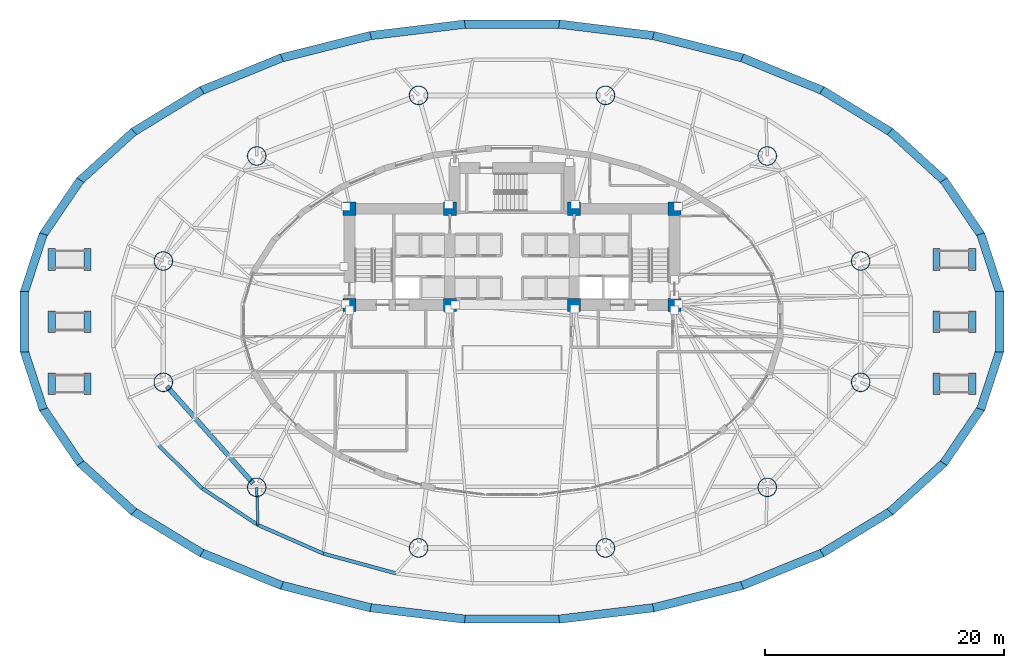
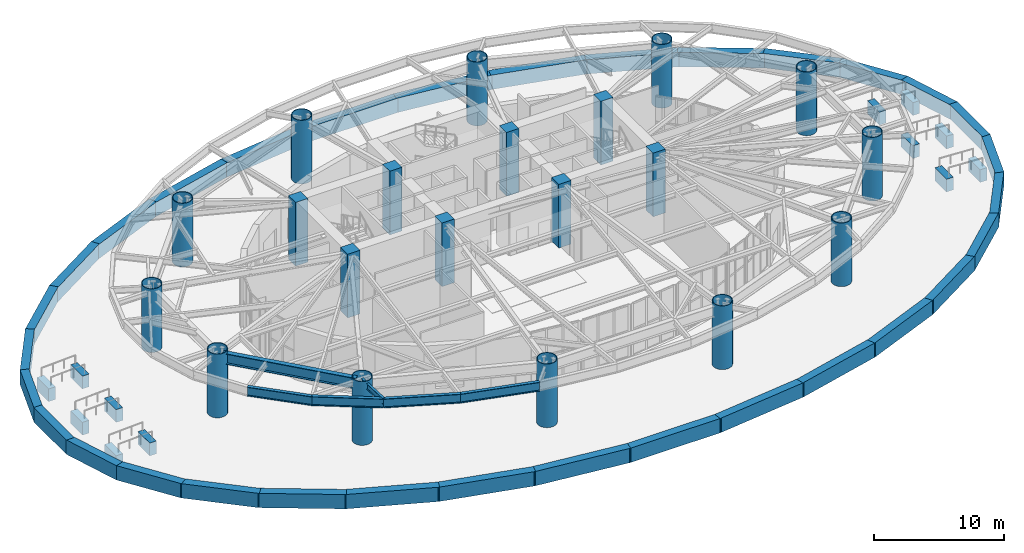
# One storey, part 1 of 21: 44 footings, 20 columns, 6 beams.
"""IFC4 building model written with IfcOpenShell, lengths in metres."""

from ifc_helpers import new_model, si_unit, direction, frame, origin, origin_2d, place, context, subcontext, project, spatial, polyline, rectangle, hollow_circle, i_section, outline, extrude, material, material_profile, profile_set, type_object, element, save


model = new_model("IFC4")

# Units and contexts
model_context = context("Model", 3, precision=1e-05, world=origin(), true_north=direction((0.0, 1.0)))
body_context = subcontext(model_context, "Body", "Model", "MODEL_VIEW")
ifc_project = project(units=[si_unit("LENGTHUNIT", "METRE"), si_unit("AREAUNIT", "SQUARE_METRE"), si_unit("VOLUMEUNIT", "CUBIC_METRE"), si_unit("PLANEANGLEUNIT", "RADIAN"), si_unit("MASSUNIT", "GRAM", prefix="KILO")], contexts=[model_context])

# Site, building, storey
site_placement = place(None, origin())
site = spatial("IfcSite", under=ifc_project, at=site_placement, CompositionType="ELEMENT")
building_placement = place(site_placement, origin())
building = spatial("IfcBuilding", under=site, at=building_placement, Name="Keldmark Tower", CompositionType="ELEMENT")
storey_placement = place(building_placement, origin())
storey = spatial("IfcBuildingStorey", under=building, at=storey_placement, Name="L00", CompositionType="ELEMENT", Elevation=0.0)

# Footings
ifc_material_1 = material(Name="Concrete C50/60", Category="concrete")
footing_type_1 = type_object("IfcFootingType", Name="Frost Grade Beam 700x1350 mm", PredefinedType="FOOTING_BEAM", material=ifc_material_1)
footing_1_placement = place(storey_placement, frame((0.0, 0.0, -1.35009765625)))
element("IfcFooting", 1, at=footing_1_placement, inside=storey, type_object=footing_type_1, Name="Perimeter frost grade beam 01", PredefinedType="FOOTING_BEAM", context=body_context, shape_type="SweptSolid", body=[
    extrude(outline(polyline([(41.16015625, 2.48291015625), (39.54248046875, 7.441650390625), (38.876953125, 7.224609375), (40.49462890625, 2.265869140625), (41.16015625, 2.48291015625)])), origin(), (0.0, 0.0, 1.0), 1.35009765625),
])
footing_2_placement = place(storey_placement, frame((0.0, 0.0, -1.35009765625)))
element("IfcFooting", 2, at=footing_2_placement, inside=storey, type_object=footing_type_1, Name="Perimeter frost grade beam 02", PredefinedType="FOOTING_BEAM", context=body_context, shape_type="SweptSolid", body=[
    extrude(outline(polyline([(39.569091796875, 7.3876953125), (36.4033203125, 12.047607421875), (35.82421875, 11.654296875), (38.989990234375, 6.994384765625), (39.569091796875, 7.3876953125)])), origin(), (0.0, 0.0, 1.0), 1.35009765625),
])
footing_3_placement = place(storey_placement, frame((0.0, 0.0, -1.35009765625)))
element("IfcFooting", 3, at=footing_3_placement, inside=storey, type_object=footing_type_1, Name="Perimeter frost grade beam 03", PredefinedType="FOOTING_BEAM", context=body_context, shape_type="SweptSolid", body=[
    extrude(outline(polyline([(36.453857421875, 11.989501953125), (31.8701171875, 16.17236328125), (31.3984375, 15.6552734375), (35.98193359375, 11.472412109375), (36.453857421875, 11.989501953125)])), origin(), (0.0, 0.0, 1.0), 1.35009765625),
])
footing_4_placement = place(storey_placement, frame((0.0, 0.0, -1.35009765625)))
element("IfcFooting", 4, at=footing_4_placement, inside=storey, type_object=footing_type_1, Name="Perimeter frost grade beam 04", PredefinedType="FOOTING_BEAM", context=body_context, shape_type="SweptSolid", body=[
    extrude(outline(polyline([(31.94384765625, 16.116943359375), (26.1240234375, 19.665771484375), (25.759521484375, 19.068115234375), (31.57958984375, 15.519287109375), (31.94384765625, 16.116943359375)])), origin(), (0.0, 0.0, 1.0), 1.35009765625),
])
footing_5_placement = place(storey_placement, frame((0.0, 0.0, -1.35009765625)))
element("IfcFooting", 5, at=footing_5_placement, inside=storey, type_object=footing_type_1, Name="Perimeter frost grade beam 05", PredefinedType="FOOTING_BEAM", context=body_context, shape_type="SweptSolid", body=[
    extrude(outline(polyline([(26.21630859375, 19.619140625), (19.38525390625, 22.40234375), (19.12109375, 21.754150390625), (25.9521484375, 18.970947265625), (26.21630859375, 19.619140625)])), origin(), (0.0, 0.0, 1.0), 1.35009765625),
])
footing_6_placement = place(storey_placement, frame((0.0, 0.0, -1.35009765625)))
element("IfcFooting", 6, at=footing_6_placement, inside=storey, type_object=footing_type_1, Name="Perimeter frost grade beam 06", PredefinedType="FOOTING_BEAM", context=body_context, shape_type="SweptSolid", body=[
    extrude(outline(polyline([(19.490478515625, 22.367919921875), (11.909912109375, 24.282470703125), (11.73828125, 23.603759765625), (19.319091796875, 21.689208984375), (19.490478515625, 22.367919921875)])), origin(), (0.0, 0.0, 1.0), 1.35009765625),
])
footing_7_placement = place(storey_placement, frame((0.0, 0.0, -1.35009765625)))
element("IfcFooting", 7, at=footing_7_placement, inside=storey, type_object=footing_type_1, Name="Perimeter frost grade beam 07", PredefinedType="FOOTING_BEAM", context=body_context, shape_type="SweptSolid", body=[
    extrude(outline(polyline([(12.023193359375, 24.26123046875), (3.9814453125, 25.23681640625), (3.897216796875, 24.541748046875), (11.93896484375, 23.56640625), (12.023193359375, 24.26123046875)])), origin(), (0.0, 0.0, 1.0), 1.35009765625),
])
footing_8_placement = place(storey_placement, frame((0.0, 0.0, -1.35009765625)))
element("IfcFooting", 8, at=footing_8_placement, inside=storey, type_object=footing_type_1, Name="Perimeter frost grade beam 08", PredefinedType="FOOTING_BEAM", context=body_context, shape_type="SweptSolid", body=[
    extrude(outline(polyline([(4.0986328125, 25.2294921875), (-4.0986328125, 25.2294921875), (-4.0986328125, 24.529541015625), (4.0986328125, 24.529541015625), (4.0986328125, 25.2294921875)])), origin(), (0.0, 0.0, 1.0), 1.35009765625),
])
footing_9_placement = place(storey_placement, frame((0.0, 0.0, -1.35009765625)))
element("IfcFooting", 9, at=footing_9_placement, inside=storey, type_object=footing_type_1, Name="Perimeter frost grade beam 09", PredefinedType="FOOTING_BEAM", context=body_context, shape_type="SweptSolid", body=[
    extrude(outline(polyline([(-3.9814453125, 25.23681640625), (-12.023193359375, 24.26123046875), (-11.93896484375, 23.56640625), (-3.897216796875, 24.541748046875), (-3.9814453125, 25.23681640625)])), origin(), (0.0, 0.0, 1.0), 1.35009765625),
])
footing_10_placement = place(storey_placement, frame((0.0, 0.0, -1.35009765625)))
element("IfcFooting", 10, at=footing_10_placement, inside=storey, type_object=footing_type_1, Name="Perimeter frost grade beam 10", PredefinedType="FOOTING_BEAM", context=body_context, shape_type="SweptSolid", body=[
    extrude(outline(polyline([(-11.909912109375, 24.282470703125), (-19.490478515625, 22.367919921875), (-19.319091796875, 21.689208984375), (-11.73828125, 23.603759765625), (-11.909912109375, 24.282470703125)])), origin(), (0.0, 0.0, 1.0), 1.35009765625),
])
footing_11_placement = place(storey_placement, frame((0.0, 0.0, -1.35009765625)))
element("IfcFooting", 11, at=footing_11_placement, inside=storey, type_object=footing_type_1, Name="Perimeter frost grade beam 11", PredefinedType="FOOTING_BEAM", context=body_context, shape_type="SweptSolid", body=[
    extrude(outline(polyline([(-19.38525390625, 22.40234375), (-26.21630859375, 19.619140625), (-25.9521484375, 18.970947265625), (-19.12109375, 21.754150390625), (-19.38525390625, 22.40234375)])), origin(), (0.0, 0.0, 1.0), 1.35009765625),
])
footing_12_placement = place(storey_placement, frame((0.0, 0.0, -1.35009765625)))
element("IfcFooting", 12, at=footing_12_placement, inside=storey, type_object=footing_type_1, Name="Perimeter frost grade beam 12", PredefinedType="FOOTING_BEAM", context=body_context, shape_type="SweptSolid", body=[
    extrude(outline(polyline([(-26.1240234375, 19.665771484375), (-31.94384765625, 16.116943359375), (-31.57958984375, 15.519287109375), (-25.759521484375, 19.068115234375), (-26.1240234375, 19.665771484375)])), origin(), (0.0, 0.0, 1.0), 1.35009765625),
])
footing_13_placement = place(storey_placement, frame((0.0, 0.0, -1.35009765625)))
element("IfcFooting", 13, at=footing_13_placement, inside=storey, type_object=footing_type_1, Name="Perimeter frost grade beam 13", PredefinedType="FOOTING_BEAM", context=body_context, shape_type="SweptSolid", body=[
    extrude(outline(polyline([(-31.8701171875, 16.17236328125), (-36.453857421875, 11.989501953125), (-35.98193359375, 11.472412109375), (-31.3984375, 15.6552734375), (-31.8701171875, 16.17236328125)])), origin(), (0.0, 0.0, 1.0), 1.35009765625),
])
footing_14_placement = place(storey_placement, frame((0.0, 0.0, -1.35009765625)))
element("IfcFooting", 14, at=footing_14_placement, inside=storey, type_object=footing_type_1, Name="Perimeter frost grade beam 14", PredefinedType="FOOTING_BEAM", context=body_context, shape_type="SweptSolid", body=[
    extrude(outline(polyline([(-36.4033203125, 12.047607421875), (-39.569091796875, 7.3876953125), (-38.989990234375, 6.994384765625), (-35.82421875, 11.654296875), (-36.4033203125, 12.047607421875)])), origin(), (0.0, 0.0, 1.0), 1.35009765625),
])
footing_15_placement = place(storey_placement, frame((0.0, 0.0, -1.35009765625)))
element("IfcFooting", 15, at=footing_15_placement, inside=storey, type_object=footing_type_1, Name="Perimeter frost grade beam 15", PredefinedType="FOOTING_BEAM", context=body_context, shape_type="SweptSolid", body=[
    extrude(outline(polyline([(-39.54248046875, 7.441650390625), (-41.16015625, 2.48291015625), (-40.49462890625, 2.265869140625), (-38.876953125, 7.224609375), (-39.54248046875, 7.441650390625)])), origin(), (0.0, 0.0, 1.0), 1.35009765625),
])
footing_16_placement = place(storey_placement, frame((0.0, 0.0, -1.35009765625)))
element("IfcFooting", 16, at=footing_16_placement, inside=storey, type_object=footing_type_1, Name="Perimeter frost grade beam 16", PredefinedType="FOOTING_BEAM", context=body_context, shape_type="SweptSolid", body=[
    extrude(outline(polyline([(-41.152587890625, 2.530517578125), (-41.152587890625, -2.530517578125), (-40.45263671875, -2.530517578125), (-40.45263671875, 2.530517578125), (-41.152587890625, 2.530517578125)])), origin(), (0.0, 0.0, 1.0), 1.35009765625),
])
footing_17_placement = place(storey_placement, frame((0.0, 0.0, -1.35009765625)))
element("IfcFooting", 17, at=footing_17_placement, inside=storey, type_object=footing_type_1, Name="Perimeter frost grade beam 17", PredefinedType="FOOTING_BEAM", context=body_context, shape_type="SweptSolid", body=[
    extrude(outline(polyline([(-41.16015625, -2.48291015625), (-39.54248046875, -7.441650390625), (-38.876953125, -7.224609375), (-40.49462890625, -2.265869140625), (-41.16015625, -2.48291015625)])), origin(), (0.0, 0.0, 1.0), 1.35009765625),
])
footing_18_placement = place(storey_placement, frame((0.0, 0.0, -1.35009765625)))
element("IfcFooting", 18, at=footing_18_placement, inside=storey, type_object=footing_type_1, Name="Perimeter frost grade beam 18", PredefinedType="FOOTING_BEAM", context=body_context, shape_type="SweptSolid", body=[
    extrude(outline(polyline([(-39.569091796875, -7.3876953125), (-36.4033203125, -12.047607421875), (-35.82421875, -11.654296875), (-38.989990234375, -6.994384765625), (-39.569091796875, -7.3876953125)])), origin(), (0.0, 0.0, 1.0), 1.35009765625),
])
footing_19_placement = place(storey_placement, frame((0.0, 0.0, -1.35009765625)))
element("IfcFooting", 19, at=footing_19_placement, inside=storey, type_object=footing_type_1, Name="Perimeter frost grade beam 19", PredefinedType="FOOTING_BEAM", context=body_context, shape_type="SweptSolid", body=[
    extrude(outline(polyline([(-36.453857421875, -11.989501953125), (-31.8701171875, -16.17236328125), (-31.3984375, -15.6552734375), (-35.98193359375, -11.472412109375), (-36.453857421875, -11.989501953125)])), origin(), (0.0, 0.0, 1.0), 1.35009765625),
])
footing_20_placement = place(storey_placement, frame((0.0, 0.0, -1.35009765625)))
element("IfcFooting", 20, at=footing_20_placement, inside=storey, type_object=footing_type_1, Name="Perimeter frost grade beam 20", PredefinedType="FOOTING_BEAM", context=body_context, shape_type="SweptSolid", body=[
    extrude(outline(polyline([(-31.94384765625, -16.116943359375), (-26.1240234375, -19.665771484375), (-25.759521484375, -19.068115234375), (-31.57958984375, -15.519287109375), (-31.94384765625, -16.116943359375)])), origin(), (0.0, 0.0, 1.0), 1.35009765625),
])
footing_21_placement = place(storey_placement, frame((0.0, 0.0, -1.35009765625)))
element("IfcFooting", 21, at=footing_21_placement, inside=storey, type_object=footing_type_1, Name="Perimeter frost grade beam 21", PredefinedType="FOOTING_BEAM", context=body_context, shape_type="SweptSolid", body=[
    extrude(outline(polyline([(-26.21630859375, -19.619140625), (-19.38525390625, -22.40234375), (-19.12109375, -21.754150390625), (-25.9521484375, -18.970947265625), (-26.21630859375, -19.619140625)])), origin(), (0.0, 0.0, 1.0), 1.35009765625),
])
footing_22_placement = place(storey_placement, frame((0.0, 0.0, -1.35009765625)))
element("IfcFooting", 22, at=footing_22_placement, inside=storey, type_object=footing_type_1, Name="Perimeter frost grade beam 22", PredefinedType="FOOTING_BEAM", context=body_context, shape_type="SweptSolid", body=[
    extrude(outline(polyline([(-19.490478515625, -22.367919921875), (-11.909912109375, -24.282470703125), (-11.73828125, -23.603759765625), (-19.319091796875, -21.689208984375), (-19.490478515625, -22.367919921875)])), origin(), (0.0, 0.0, 1.0), 1.35009765625),
])
footing_23_placement = place(storey_placement, frame((0.0, 0.0, -1.35009765625)))
element("IfcFooting", 23, at=footing_23_placement, inside=storey, type_object=footing_type_1, Name="Perimeter frost grade beam 23", PredefinedType="FOOTING_BEAM", context=body_context, shape_type="SweptSolid", body=[
    extrude(outline(polyline([(-12.023193359375, -24.26123046875), (-3.9814453125, -25.23681640625), (-3.897216796875, -24.541748046875), (-11.93896484375, -23.56640625), (-12.023193359375, -24.26123046875)])), origin(), (0.0, 0.0, 1.0), 1.35009765625),
])
footing_24_placement = place(storey_placement, frame((0.0, 0.0, -1.35009765625)))
element("IfcFooting", 24, at=footing_24_placement, inside=storey, type_object=footing_type_1, Name="Perimeter frost grade beam 24", PredefinedType="FOOTING_BEAM", context=body_context, shape_type="SweptSolid", body=[
    extrude(outline(polyline([(-4.0986328125, -25.2294921875), (4.0986328125, -25.2294921875), (4.0986328125, -24.529541015625), (-4.0986328125, -24.529541015625), (-4.0986328125, -25.2294921875)])), origin(), (0.0, 0.0, 1.0), 1.35009765625),
])
footing_25_placement = place(storey_placement, frame((0.0, 0.0, -1.35009765625)))
element("IfcFooting", 25, at=footing_25_placement, inside=storey, type_object=footing_type_1, Name="Perimeter frost grade beam 25", PredefinedType="FOOTING_BEAM", context=body_context, shape_type="SweptSolid", body=[
    extrude(outline(polyline([(3.9814453125, -25.23681640625), (12.023193359375, -24.26123046875), (11.93896484375, -23.56640625), (3.897216796875, -24.541748046875), (3.9814453125, -25.23681640625)])), origin(), (0.0, 0.0, 1.0), 1.35009765625),
])
footing_26_placement = place(storey_placement, frame((0.0, 0.0, -1.35009765625)))
element("IfcFooting", 26, at=footing_26_placement, inside=storey, type_object=footing_type_1, Name="Perimeter frost grade beam 26", PredefinedType="FOOTING_BEAM", context=body_context, shape_type="SweptSolid", body=[
    extrude(outline(polyline([(11.909912109375, -24.282470703125), (19.490478515625, -22.367919921875), (19.319091796875, -21.689208984375), (11.73828125, -23.603759765625), (11.909912109375, -24.282470703125)])), origin(), (0.0, 0.0, 1.0), 1.35009765625),
])
footing_27_placement = place(storey_placement, frame((0.0, 0.0, -1.35009765625)))
element("IfcFooting", 27, at=footing_27_placement, inside=storey, type_object=footing_type_1, Name="Perimeter frost grade beam 27", PredefinedType="FOOTING_BEAM", context=body_context, shape_type="SweptSolid", body=[
    extrude(outline(polyline([(19.38525390625, -22.40234375), (26.21630859375, -19.619140625), (25.9521484375, -18.970947265625), (19.12109375, -21.754150390625), (19.38525390625, -22.40234375)])), origin(), (0.0, 0.0, 1.0), 1.35009765625),
])
footing_28_placement = place(storey_placement, frame((0.0, 0.0, -1.35009765625)))
element("IfcFooting", 28, at=footing_28_placement, inside=storey, type_object=footing_type_1, Name="Perimeter frost grade beam 28", PredefinedType="FOOTING_BEAM", context=body_context, shape_type="SweptSolid", body=[
    extrude(outline(polyline([(26.1240234375, -19.665771484375), (31.94384765625, -16.116943359375), (31.57958984375, -15.519287109375), (25.759521484375, -19.068115234375), (26.1240234375, -19.665771484375)])), origin(), (0.0, 0.0, 1.0), 1.35009765625),
])
footing_29_placement = place(storey_placement, frame((0.0, 0.0, -1.35009765625)))
element("IfcFooting", 29, at=footing_29_placement, inside=storey, type_object=footing_type_1, Name="Perimeter frost grade beam 29", PredefinedType="FOOTING_BEAM", context=body_context, shape_type="SweptSolid", body=[
    extrude(outline(polyline([(31.8701171875, -16.17236328125), (36.453857421875, -11.989501953125), (35.98193359375, -11.472412109375), (31.3984375, -15.6552734375), (31.8701171875, -16.17236328125)])), origin(), (0.0, 0.0, 1.0), 1.35009765625),
])
footing_30_placement = place(storey_placement, frame((0.0, 0.0, -1.35009765625)))
element("IfcFooting", 30, at=footing_30_placement, inside=storey, type_object=footing_type_1, Name="Perimeter frost grade beam 30", PredefinedType="FOOTING_BEAM", context=body_context, shape_type="SweptSolid", body=[
    extrude(outline(polyline([(36.4033203125, -12.047607421875), (39.569091796875, -7.3876953125), (38.989990234375, -6.994384765625), (35.82421875, -11.654296875), (36.4033203125, -12.047607421875)])), origin(), (0.0, 0.0, 1.0), 1.35009765625),
])
footing_31_placement = place(storey_placement, frame((0.0, 0.0, -1.35009765625)))
element("IfcFooting", 31, at=footing_31_placement, inside=storey, type_object=footing_type_1, Name="Perimeter frost grade beam 31", PredefinedType="FOOTING_BEAM", context=body_context, shape_type="SweptSolid", body=[
    extrude(outline(polyline([(39.54248046875, -7.441650390625), (41.16015625, -2.48291015625), (40.49462890625, -2.265869140625), (38.876953125, -7.224609375), (39.54248046875, -7.441650390625)])), origin(), (0.0, 0.0, 1.0), 1.35009765625),
])
footing_32_placement = place(storey_placement, frame((0.0, 0.0, -1.35009765625)))
element("IfcFooting", 32, at=footing_32_placement, inside=storey, type_object=footing_type_1, Name="Perimeter frost grade beam 32", PredefinedType="FOOTING_BEAM", context=body_context, shape_type="SweptSolid", body=[
    extrude(outline(polyline([(41.152587890625, -2.530517578125), (41.152587890625, 2.530517578125), (40.45263671875, 2.530517578125), (40.45263671875, -2.530517578125), (41.152587890625, -2.530517578125)])), origin(), (0.0, 0.0, 1.0), 1.35009765625),
])
ifc_material_2 = material(Name="Concrete C50/60", Category="concrete")
footing_type_2 = type_object("IfcFootingType", Name="Perimeter Tie Beam 600x1200 mm", PredefinedType="STRIP_FOOTING", material=ifc_material_2)
footing_33_placement = place(storey_placement, frame((0.0, 0.0, -1.35009765625)))
element("IfcFooting", 33, at=footing_33_placement, inside=storey, type_object=footing_type_2, Name="Plaza ramp bearing footing beam 01", PredefinedType="STRIP_FOOTING", context=body_context, shape_type="SweptSolid", body=[
    extrude(outline(polyline([(-38.800048828125, -6.10009765625), (-38.199951171875, -6.10009765625), (-38.199951171875, -4.300048828125), (-38.800048828125, -4.300048828125), (-38.800048828125, -6.10009765625)])), origin(), (0.0, 0.0, 1.0), 1.2001953125),
])
footing_34_placement = place(storey_placement, frame((0.0, 0.0, -1.199951171875)))
element("IfcFooting", 34, at=footing_34_placement, inside=storey, type_object=footing_type_2, Name="Plaza ramp bearing footing beam 02", PredefinedType="STRIP_FOOTING", context=body_context, shape_type="SweptSolid", body=[
    extrude(outline(polyline([(-35.800048828125, -6.10009765625), (-35.199951171875, -6.10009765625), (-35.199951171875, -4.300048828125), (-35.800048828125, -4.300048828125), (-35.800048828125, -6.10009765625)])), origin(), (0.0, 0.0, 1.0), 1.199951171875),
])
footing_35_placement = place(storey_placement, frame((0.0, 0.0, -1.35009765625)))
element("IfcFooting", 35, at=footing_35_placement, inside=storey, type_object=footing_type_2, Name="Plaza ramp bearing footing beam 03", PredefinedType="STRIP_FOOTING", context=body_context, shape_type="SweptSolid", body=[
    extrude(outline(polyline([(-38.800048828125, -0.89990234375), (-38.199951171875, -0.89990234375), (-38.199951171875, 0.89990234375), (-38.800048828125, 0.89990234375), (-38.800048828125, -0.89990234375)])), origin(), (0.0, 0.0, 1.0), 1.2001953125),
])
footing_36_placement = place(storey_placement, frame((0.0, 0.0, -1.199951171875)))
element("IfcFooting", 36, at=footing_36_placement, inside=storey, type_object=footing_type_2, Name="Plaza ramp bearing footing beam 04", PredefinedType="STRIP_FOOTING", context=body_context, shape_type="SweptSolid", body=[
    extrude(outline(polyline([(-35.800048828125, -0.89990234375), (-35.199951171875, -0.89990234375), (-35.199951171875, 0.89990234375), (-35.800048828125, 0.89990234375), (-35.800048828125, -0.89990234375)])), origin(), (0.0, 0.0, 1.0), 1.199951171875),
])
footing_37_placement = place(storey_placement, frame((0.0, 0.0, -1.35009765625)))
element("IfcFooting", 37, at=footing_37_placement, inside=storey, type_object=footing_type_2, Name="Plaza ramp bearing footing beam 05", PredefinedType="STRIP_FOOTING", context=body_context, shape_type="SweptSolid", body=[
    extrude(outline(polyline([(-38.800048828125, 4.300048828125), (-38.199951171875, 4.300048828125), (-38.199951171875, 6.10009765625), (-38.800048828125, 6.10009765625), (-38.800048828125, 4.300048828125)])), origin(), (0.0, 0.0, 1.0), 1.2001953125),
])
footing_38_placement = place(storey_placement, frame((0.0, 0.0, -1.199951171875)))
element("IfcFooting", 38, at=footing_38_placement, inside=storey, type_object=footing_type_2, Name="Plaza ramp bearing footing beam 06", PredefinedType="STRIP_FOOTING", context=body_context, shape_type="SweptSolid", body=[
    extrude(outline(polyline([(-35.800048828125, 4.300048828125), (-35.199951171875, 4.300048828125), (-35.199951171875, 6.10009765625), (-35.800048828125, 6.10009765625), (-35.800048828125, 4.300048828125)])), origin(), (0.0, 0.0, 1.0), 1.199951171875),
])
footing_39_placement = place(storey_placement, frame((0.0, 0.0, -1.35009765625)))
element("IfcFooting", 39, at=footing_39_placement, inside=storey, type_object=footing_type_2, Name="Plaza ramp bearing footing beam 07", PredefinedType="STRIP_FOOTING", context=body_context, shape_type="SweptSolid", body=[
    extrude(outline(polyline([(38.199951171875, -6.10009765625), (38.800048828125, -6.10009765625), (38.800048828125, -4.300048828125), (38.199951171875, -4.300048828125), (38.199951171875, -6.10009765625)])), origin(), (0.0, 0.0, 1.0), 1.2001953125),
])
footing_40_placement = place(storey_placement, frame((0.0, 0.0, -1.199951171875)))
element("IfcFooting", 40, at=footing_40_placement, inside=storey, type_object=footing_type_2, Name="Plaza ramp bearing footing beam 08", PredefinedType="STRIP_FOOTING", context=body_context, shape_type="SweptSolid", body=[
    extrude(outline(polyline([(35.199951171875, -6.10009765625), (35.800048828125, -6.10009765625), (35.800048828125, -4.300048828125), (35.199951171875, -4.300048828125), (35.199951171875, -6.10009765625)])), origin(), (0.0, 0.0, 1.0), 1.199951171875),
])
footing_41_placement = place(storey_placement, frame((0.0, 0.0, -1.35009765625)))
element("IfcFooting", 41, at=footing_41_placement, inside=storey, type_object=footing_type_2, Name="Plaza ramp bearing footing beam 09", PredefinedType="STRIP_FOOTING", context=body_context, shape_type="SweptSolid", body=[
    extrude(outline(polyline([(38.199951171875, -0.89990234375), (38.800048828125, -0.89990234375), (38.800048828125, 0.89990234375), (38.199951171875, 0.89990234375), (38.199951171875, -0.89990234375)])), origin(), (0.0, 0.0, 1.0), 1.2001953125),
])
footing_42_placement = place(storey_placement, frame((0.0, 0.0, -1.199951171875)))
element("IfcFooting", 42, at=footing_42_placement, inside=storey, type_object=footing_type_2, Name="Plaza ramp bearing footing beam 10", PredefinedType="STRIP_FOOTING", context=body_context, shape_type="SweptSolid", body=[
    extrude(outline(polyline([(35.199951171875, -0.89990234375), (35.800048828125, -0.89990234375), (35.800048828125, 0.89990234375), (35.199951171875, 0.89990234375), (35.199951171875, -0.89990234375)])), origin(), (0.0, 0.0, 1.0), 1.199951171875),
])
footing_43_placement = place(storey_placement, frame((0.0, 0.0, -1.35009765625)))
element("IfcFooting", 43, at=footing_43_placement, inside=storey, type_object=footing_type_2, Name="Plaza ramp bearing footing beam 11", PredefinedType="STRIP_FOOTING", context=body_context, shape_type="SweptSolid", body=[
    extrude(outline(polyline([(38.199951171875, 4.300048828125), (38.800048828125, 4.300048828125), (38.800048828125, 6.10009765625), (38.199951171875, 6.10009765625), (38.199951171875, 4.300048828125)])), origin(), (0.0, 0.0, 1.0), 1.2001953125),
])
footing_44_placement = place(storey_placement, frame((0.0, 0.0, -1.199951171875)))
element("IfcFooting", 44, at=footing_44_placement, inside=storey, type_object=footing_type_2, Name="Plaza ramp bearing footing beam 12", PredefinedType="STRIP_FOOTING", context=body_context, shape_type="SweptSolid", body=[
    extrude(outline(polyline([(35.199951171875, 4.300048828125), (35.800048828125, 4.300048828125), (35.800048828125, 6.10009765625), (35.199951171875, 6.10009765625), (35.199951171875, 4.300048828125)])), origin(), (0.0, 0.0, 1.0), 1.199951171875),
])

# Columns
ifc_material_3 = material(Name="Concrete C70/85", Category="concrete")
ifc_material_profile_1 = material_profile(ifc_material_3, rectangle(XDim=1.10009765625, YDim=1.10009765625, at=origin_2d()), Name="RC1100X1100")
ifc_profile_set_1 = profile_set([ifc_material_profile_1], Name="Concrete C70/85")
column_type_1 = type_object("IfcColumnType", Name="Core Boundary Column RC1100", PredefinedType="COLUMN", material=ifc_profile_set_1)
for number, where, z_axis, x_axis, name in (
    (45, (-13.60009765625, 1.39990234375, 0.0), (0.0, 0.0, 1.0), (1.0, 0.0, 0.0), "L00 Core Boundary Column CC-W1"),
    (46, (-13.60009765625, 9.449951171875, 0.0), (0.0, 0.0, 1.0), (1.0, 0.0, 0.0), "L00 Core Boundary Column CC-W2"),
    (47, (-5.199951171875, 1.39990234375, 0.0), (0.0, 0.0, 1.0), (1.0, 0.0, 0.0), "L00 Core Boundary Column CC-W3"),
    (48, (-5.199951171875, 9.449951171875, 0.0), (0.0, 0.0, 1.0), (1.0, 0.0, 0.0), "L00 Core Boundary Column CC-W4"),
    (49, (5.199951171875, 1.39990234375, 0.0), (0.0, 0.0, 1.0), (1.0, 0.0, 0.0), "L00 Core Boundary Column CC-E1"),
    (50, (5.199951171875, 9.449951171875, 0.0), (0.0, 0.0, 1.0), (1.0, 0.0, 0.0), "L00 Core Boundary Column CC-E2"),
    (51, (13.60009765625, 1.39990234375, 0.0), (0.0, 0.0, 1.0), (1.0, 0.0, 0.0), "L00 Core Boundary Column CC-E3"),
    (52, (13.60009765625, 9.449951171875, 0.0), (0.0, 0.0, 1.0), (1.0, 0.0, 0.0), "L00 Core Boundary Column CC-E4"),
):
    element("IfcColumn", number, at=place(storey_placement, frame(where, z_axis=z_axis, x_axis=x_axis)), inside=storey, type_object=column_type_1, Name=name, PredefinedType="COLUMN", context=body_context, shape_type="SweptSolid", body=[
        extrude(rectangle(XDim=1.10009765625, YDim=1.10009765625, at=origin_2d()), origin(), (0.0, 0.0, 1.0), 6.0),
    ])
ifc_material_4 = material(Name="Steel ASTM A572 Grade 50", Category="steel")
ifc_material_profile_2 = material_profile(ifc_material_4, hollow_circle(Radius=0.800048828125, WallThickness=0.06005859375, at=origin_2d()), Name="CHS1600X60")
ifc_profile_set_2 = profile_set([ifc_material_profile_2], Name="Steel ASTM A572 Grade 50")
column_type_2 = type_object("IfcColumnType", Name="Pilotis Mega-Column Lower CHS1600", PredefinedType="USERDEFINED", material=ifc_profile_set_2)
for number, where, z_axis, x_axis, name in (
    (53, (29.1708984375, 5.072998046875, 0.0), (0.0, 0.0, 1.0), (1.0, 0.0, 0.0), "L00 Pilotis Mega-Column MC-01"),
    (54, (21.3544921875, 13.859375, 0.0), (0.0, 0.0, 1.0), (1.0, 0.0, 0.0), "L00 Pilotis Mega-Column MC-02"),
    (55, (7.81640625, 18.93212890625, 0.0), (0.0, 0.0, 1.0), (1.0, 0.0, 0.0), "L00 Pilotis Mega-Column MC-03"),
    (56, (-7.81640625, 18.93212890625, 0.0), (0.0, 0.0, 1.0), (1.0, 0.0, 0.0), "L00 Pilotis Mega-Column MC-04"),
    (57, (-21.3544921875, 13.859375, 0.0), (0.0, 0.0, 1.0), (1.0, 0.0, 0.0), "L00 Pilotis Mega-Column MC-05"),
    (58, (-29.1708984375, 5.072998046875, 0.0), (0.0, 0.0, 1.0), (1.0, 0.0, 0.0), "L00 Pilotis Mega-Column MC-06"),
    (59, (-29.1708984375, -5.072998046875, 0.0), (0.0, 0.0, 1.0), (1.0, 0.0, 0.0), "L00 Pilotis Mega-Column MC-07"),
    (60, (-21.3544921875, -13.859375, 0.0), (0.0, 0.0, 1.0), (1.0, 0.0, 0.0), "L00 Pilotis Mega-Column MC-08"),
    (61, (-7.81640625, -18.93212890625, 0.0), (0.0, 0.0, 1.0), (1.0, 0.0, 0.0), "L00 Pilotis Mega-Column MC-09"),
    (62, (7.81640625, -18.93212890625, 0.0), (0.0, 0.0, 1.0), (1.0, 0.0, 0.0), "L00 Pilotis Mega-Column MC-10"),
    (63, (21.3544921875, -13.859375, 0.0), (0.0, 0.0, 1.0), (1.0, 0.0, 0.0), "L00 Pilotis Mega-Column MC-11"),
    (64, (29.1708984375, -5.072998046875, 0.0), (0.0, 0.0, 1.0), (1.0, 0.0, 0.0), "L00 Pilotis Mega-Column MC-12"),
):
    element("IfcColumn", number, at=place(storey_placement, frame(where, z_axis=z_axis, x_axis=x_axis)), inside=storey, type_object=column_type_2, Name=name, ObjectType="MEGA COLUMN", PredefinedType="USERDEFINED", context=body_context, shape_type="SweptSolid", body=[
        extrude(hollow_circle(Radius=0.800048828125, WallThickness=0.06005859375, at=origin_2d()), origin(), (0.0, 0.0, 1.0), 6.0),
    ])

# Beams
ifc_material_5 = material(Name="Steel ASTM A992 Grade 50", Category="steel")
ifc_material_profile_3 = material_profile(ifc_material_5, i_section(OverallWidth=0.402099609375, OverallDepth=1.011962890625, WebThickness=0.023681640625, FlangeThickness=0.0419921875, at=origin_2d()), Name="W40X297")
ifc_profile_set_3 = profile_set([ifc_material_profile_3], Name="Steel ASTM A992 Grade 50")
beam_type_1 = type_object("IfcBeamType", Name="Podium Primary Girder W40X297", PredefinedType="BEAM", material=ifc_profile_set_3)
beam_1_placement = place(storey_placement, frame((-28.871826171875, -5.4091796875, 5.27392578125), z_axis=(0.66464984112, -0.747154996436, 0.0), x_axis=(0.747154996436, 0.66464984112, 0.0)))
element("IfcBeam", 65, at=beam_1_placement, inside=storey, type_object=beam_type_1, Name="L00 Podium Ring Girder PG-R07", PredefinedType="BEAM", context=body_context, shape_type="SweptSolid", body=[
    extrude(i_section(OverallWidth=0.402099609375, OverallDepth=1.011962890625, WebThickness=0.023681640625, FlangeThickness=0.0419921875, at=origin_2d()), origin(), (0.0, 0.0, 1.0), 10.85986328125),
])
ifc_material_6 = material(Name="Steel ASTM A992 Grade 50", Category="steel")
ifc_material_profile_4 = material_profile(ifc_material_6, i_section(OverallWidth=0.2099609375, OverallDepth=0.537109375, WebThickness=0.010986328125, FlangeThickness=0.017333984375, at=origin_2d()), Name="W21X68")
ifc_profile_set_4 = profile_set([ifc_material_profile_4], Name="Steel ASTM A992 Grade 50")
beam_type_2 = type_object("IfcBeamType", Name="Radial Tie Girder W21X68", PredefinedType="BEAM", material=ifc_profile_set_4)
beam_2_placement = place(storey_placement, frame((-21.3544921875, -13.859375, 5.511474609375), z_axis=(0.032491176768, -0.999472022336, 0.0), x_axis=(0.999472022336, 0.032491176768, 0.0)))
element("IfcBeam", 66, at=beam_2_placement, inside=storey, type_object=beam_type_2, Name="L00 Perimeter Column Bracket RT-21", PredefinedType="BEAM", context=body_context, shape_type="SweptSolid", body=[
    extrude(i_section(OverallWidth=0.2099609375, OverallDepth=0.537109375, WebThickness=0.010986328125, FlangeThickness=0.017333984375, at=origin_2d()), origin(), (0.0, 0.0, 1.0), 3.1484375),
])
ifc_material_7 = material(Name="Steel ASTM A992 Grade 50", Category="steel")
ifc_material_profile_5 = material_profile(ifc_material_7, i_section(OverallWidth=0.2919921875, OverallDepth=0.85888671875, WebThickness=0.01708984375, FlangeThickness=0.031005859375, at=origin_2d()), Name="W33X169")
ifc_profile_set_5 = profile_set([ifc_material_profile_5], Name="Steel ASTM A992 Grade 50")
beam_type_3 = type_object("IfcBeamType", Name="Spandrel Ring Beam W33X169", PredefinedType="SPANDREL", material=ifc_profile_set_5)
beam_3_placement = place(storey_placement, frame((-29.54443359375, -10.37060546875, 5.3505859375), z_axis=(0.713165222071, -0.700995981464, 0.0), x_axis=(0.700995981464, 0.713165222071, 0.0)))
element("IfcBeam", 67, at=beam_3_placement, inside=storey, type_object=beam_type_3, Name="L00 Perimeter Spandrel Ring Beam SRB-19", PredefinedType="SPANDREL", context=body_context, shape_type="SweptSolid", body=[
    extrude(i_section(OverallWidth=0.2919921875, OverallDepth=0.85888671875, WebThickness=0.01708984375, FlangeThickness=0.031005859375, at=origin_2d()), origin(), (0.0, 0.0, 1.0), 5.11572265625),
])
beam_4_placement = place(storey_placement, frame((-25.89599609375, -13.956787109375, 5.3505859375), z_axis=(0.835897322981, -0.548885840073, 0.0), x_axis=(0.548885840073, 0.835897322981, 0.0)))
element("IfcBeam", 68, at=beam_4_placement, inside=storey, type_object=beam_type_3, Name="L00 Perimeter Spandrel Ring Beam SRB-20", PredefinedType="SPANDREL", context=body_context, shape_type="SweptSolid", body=[
    extrude(i_section(OverallWidth=0.2919921875, OverallDepth=0.85888671875, WebThickness=0.01708984375, FlangeThickness=0.031005859375, at=origin_2d()), origin(), (0.0, 0.0, 1.0), 5.555419921875),
])
beam_5_placement = place(storey_placement, frame((-21.252197265625, -17.006103515625, 5.3505859375), z_axis=(0.91570760638, -0.401845218484, 0.0), x_axis=(0.401845218484, 0.91570760638, 0.0)))
element("IfcBeam", 69, at=beam_5_placement, inside=storey, type_object=beam_type_3, Name="L00 Perimeter Spandrel Ring Beam SRB-21", PredefinedType="SPANDREL", context=body_context, shape_type="SweptSolid", body=[
    extrude(i_section(OverallWidth=0.2919921875, OverallDepth=0.85888671875, WebThickness=0.01708984375, FlangeThickness=0.031005859375, at=origin_2d()), origin(), (0.0, 0.0, 1.0), 5.963134765625),
])
beam_6_placement = place(storey_placement, frame((-15.791748046875, -19.40234375, 5.3505859375), z_axis=(0.964936550718, -0.262483243445, 0.0), x_axis=(0.262483243445, 0.964936550718, 0.0)))
element("IfcBeam", 70, at=beam_6_placement, inside=storey, type_object=beam_type_3, Name="L00 Perimeter Spandrel Ring Beam SRB-22", PredefinedType="SPANDREL", context=body_context, shape_type="SweptSolid", body=[
    extrude(i_section(OverallWidth=0.2919921875, OverallDepth=0.85888671875, WebThickness=0.01708984375, FlangeThickness=0.031005859375, at=origin_2d()), origin(), (0.0, 0.0, 1.0), 6.28759765625),
])

save(model, "model.ifc")
